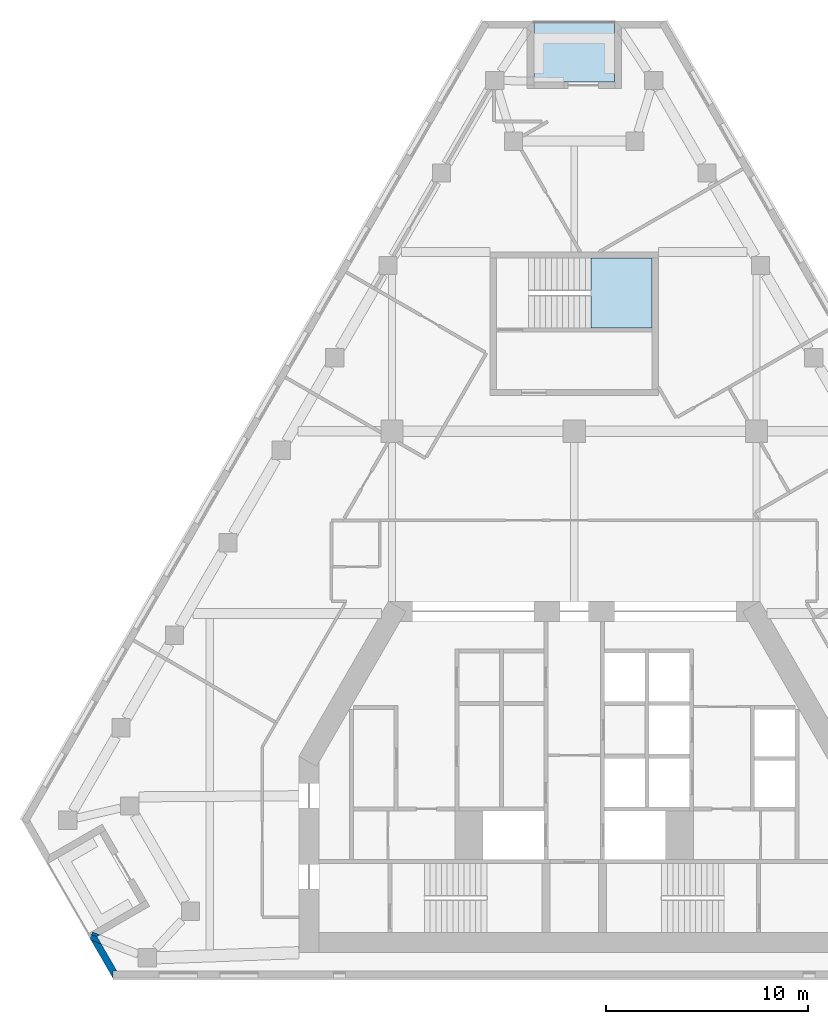
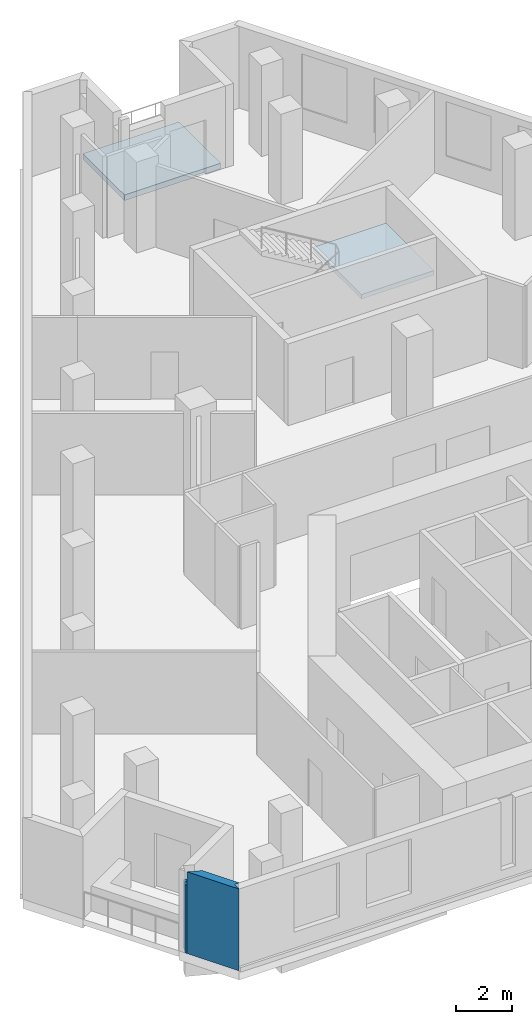
# One storey, part 2 of 9: 3 walls, 2 slabs, 1 element without a shape of its own.
"""IFC4 building model written with IfcOpenShell, lengths in metres."""

from ifc_helpers import new_model, si_unit, direction, frame, origin, place, context, subcontext, project, spatial, polyline, outline, extrude, material, layer, layer_set, type_object, element, aggregate, save


model = new_model("IFC4")

# Units and contexts
model_context = context("Model", 3, precision=1e-05, world=origin(), true_north=direction((0.0, 1.0)))
body_context = subcontext(model_context, "Body", "Model", "MODEL_VIEW")
ifc_project = project(units=[si_unit("LENGTHUNIT", "METRE"), si_unit("AREAUNIT", "SQUARE_METRE"), si_unit("VOLUMEUNIT", "CUBIC_METRE"), si_unit("PLANEANGLEUNIT", "RADIAN"), si_unit("MASSUNIT", "GRAM", prefix="KILO")], contexts=[model_context])

# Site, building, storey
site_placement = place(None, origin())
site = spatial("IfcSite", under=ifc_project, at=site_placement, CompositionType="ELEMENT")
building_placement = place(site_placement, origin())
building = spatial("IfcBuilding", under=site, at=building_placement, Name="Fogline Exchange Tower", CompositionType="ELEMENT")
storey_placement = place(building_placement, frame((0.0, 0.0, 210.10009765625)))
storey = spatial("IfcBuildingStorey", under=building, at=storey_placement, Name="L47", CompositionType="ELEMENT", Elevation=210.10009765625)

# Slab
ifc_material_1 = material(Name="Concrete C40", Category="concrete")
ifc_layer_1 = layer(ifc_material_1, 0.25)
ifc_layer_set_1 = layer_set([ifc_layer_1], Name="DK1")
slab_type_1 = type_object("IfcSlabType", Name="DK1", PredefinedType="FLOOR", material=ifc_layer_set_1)
slab_1_placement = place(storey_placement, frame((0.0, 0.0, -0.25)))
element("IfcSlab", 1, at=slab_1_placement, inside=storey, type_object=slab_type_1, Name="Balcony L47 N", PredefinedType="FLOOR", context=body_context, shape_type="SweptSolid", body=[
    extrude(outline(polyline([(2.0, 47.26171875), (-2.0, 47.26171875), (-2.0, 44.26171875), (2.0, 44.26171875), (2.0, 47.26171875)])), origin(), (0.0, 0.0, 1.0), 0.25),
])

# Stair, slab
stair_type = type_object("IfcStairType", Name="STR24-1667", PredefinedType="HALF_TURN_STAIR", material=ifc_material_1)
stair_placement = place(storey_placement, origin())
stair = element("IfcStair", 2, at=stair_placement, inside=storey, type_object=stair_type, Name="Stair ST3", PredefinedType="HALF_TURN_STAIR")
ifc_layer_2 = layer(ifc_material_1, 0.199951171875)
ifc_layer_set_2 = layer_set([ifc_layer_2], Name="SL200")
slab_type_2 = type_object("IfcSlabType", Name="SL200", PredefinedType="LANDING", material=ifc_layer_set_2)
slab_2_placement = place(storey_placement, frame((0.0, 0.0, 1.7998046875)))
slab_2 = element("IfcSlab", 3, at=slab_2_placement, type_object=slab_type_2, Name="ST3 landing 1", PredefinedType="LANDING", context=body_context, shape_type="SweptSolid", body=[
    extrude(outline(polyline([(0.830078125, 32.10693359375), (3.85009765625, 32.10693359375), (3.85009765625, 35.556884765625), (0.830078125, 35.556884765625), (0.830078125, 32.10693359375)])), origin(), (0.0, 0.0, 1.0), 0.2001953125),
])
aggregate(stair, [slab_2])

# Walls
ifc_material_2 = material(Name="Brick masonry", Category="masonry")
ifc_layer_3 = layer(ifc_material_2, 0.340087890625)
ifc_layer_set_3 = layer_set([ifc_layer_3], Name="FW1")
wall_type = type_object("IfcWallType", Name="FW1", PredefinedType="SOLIDWALL", material=ifc_layer_set_3)
wall_1_placement = place(storey_placement, origin())
element("IfcWall", 4, at=wall_1_placement, inside=storey, type_object=wall_type, Name="Brick wall L47 SW-s2", PredefinedType="SOLIDWALL", context=body_context, shape_type="SweptSolid", body=[
    extrude(outline(polyline([(-23.572021484375, 2.0400390625), (-23.852783203125, 2.115234375), (-23.790771484375, 2.2734375), (-23.419677734375, 2.1279296875), (-23.572021484375, 2.0400390625)])), origin(), (0.0, 0.0, 1.0), 3.0),
])
wall_2_placement = place(storey_placement, origin())
element("IfcWall", 5, at=wall_2_placement, inside=storey, type_object=wall_type, Name="Brick wall L47 SW-c2", PredefinedType="SOLIDWALL", context=body_context, shape_type="SweptSolid", body=[
    extrude(outline(polyline([(-23.915771484375, 1.95458984375), (-23.852294921875, 2.116455078125), (-23.57177734375, 2.041015625), (-23.360107421875, 1.6748046875), (-23.86962890625, 1.87451171875), (-23.915771484375, 1.95458984375)])), origin(), (0.0, 0.0, 1.0), 3.0),
])
wall_3_placement = place(storey_placement, origin())
element("IfcWall", 6, at=wall_3_placement, inside=storey, type_object=wall_type, Name="Brick wall L47 SW-c2", PredefinedType="SOLIDWALL", context=body_context, shape_type="SweptSolid", body=[
    extrude(outline(polyline([(-22.785888671875, 0.33935546875), (-22.785888671875, -0.0009765625), (-22.78662109375, -0.001220703125), (-23.86962890625, 1.87451171875), (-23.360107421875, 1.6748046875), (-22.589111328125, 0.33935546875), (-22.785888671875, 0.33935546875)])), origin(), (0.0, 0.0, 1.0), 3.599853515625),
])

save(model, "model.ifc")
